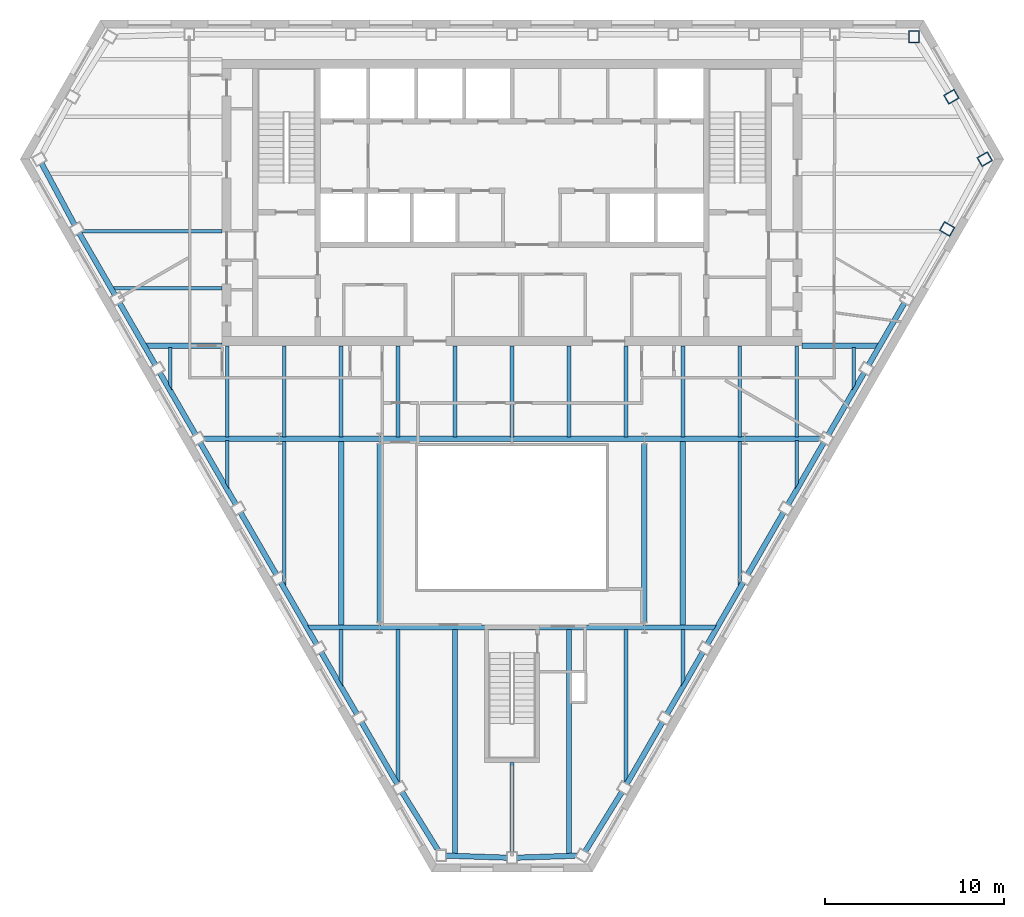
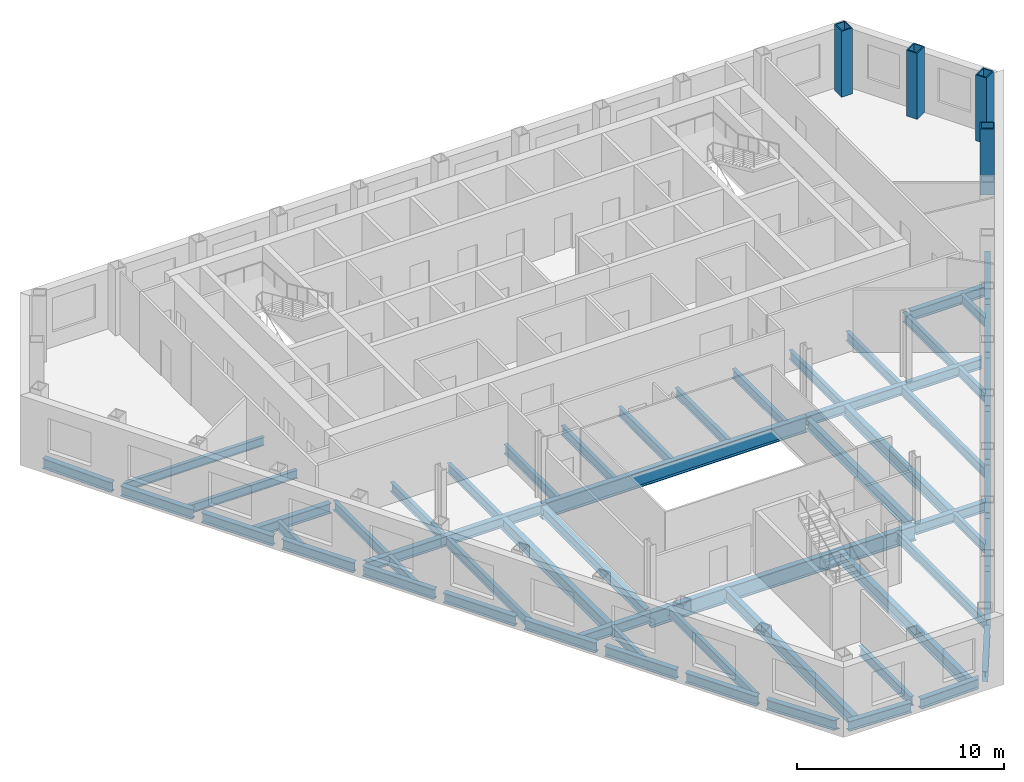
# One storey, part 2 of 11: 60 beams, 4 columns.
"""IFC4 building model written with IfcOpenShell, lengths in metres."""

from ifc_helpers import new_model, si_unit, direction, frame, origin, origin_2d, place, context, subcontext, project, spatial, hollow_rectangle, i_section, extrude, clip, halfspace, material, material_profile, profile_set, type_object, element, save


model = new_model("IFC4")

# Units and contexts
model_context = context("Model", 3, precision=1e-05, world=origin(), true_north=direction((0.0, 1.0)))
body_context = subcontext(model_context, "Body", "Model", "MODEL_VIEW")
ifc_project = project(units=[si_unit("LENGTHUNIT", "METRE"), si_unit("AREAUNIT", "SQUARE_METRE"), si_unit("VOLUMEUNIT", "CUBIC_METRE"), si_unit("PLANEANGLEUNIT", "RADIAN"), si_unit("MASSUNIT", "GRAM", prefix="KILO")], contexts=[model_context])

# Site, building, storey
site_placement = place(None, origin())
site = spatial("IfcSite", under=ifc_project, at=site_placement, CompositionType="ELEMENT")
building_placement = place(site_placement, origin())
building = spatial("IfcBuilding", under=site, at=building_placement, Name="Njiva Tower", CompositionType="ELEMENT")
storey_placement = place(building_placement, frame((0.0, 0.0, 147.6)))
storey = spatial("IfcBuildingStorey", under=building, at=storey_placement, Name="L31", CompositionType="ELEMENT", Elevation=147.6)

# Columns
ifc_material = material(Name="Steel S355 J2", Category="steel")
ifc_material_profile_1 = material_profile(ifc_material, hollow_rectangle(XDim=0.6, YDim=0.7, WallThickness=0.06, at=origin_2d()), Name="BOX 700x600x60")
ifc_profile_set_1 = profile_set([ifc_material_profile_1], Name="Steel S355 J2")
column_type = type_object("IfcColumnType", Name="C9 Perimeter tube column BOX 700x600x60", PredefinedType="COLUMN", material=ifc_profile_set_1)
for number, where, z_axis, x_axis, name in (
    (1, (22.466, 19.267, 0.0), (0.0, 0.0, 1.0), (-1.0, 0.0, 0.0), "Perimeter tube column S10-C01"),
    (2, (24.317, 8.519, 0.0), (0.0, 0.0, 1.0), (0.5, 0.866025403784, 0.0), "Perimeter tube column S10-C34"),
    (3, (26.418, 12.423, 0.0), (0.0, 0.0, 1.0), (-0.5, 0.866025403784, 0.0), "Perimeter tube column S10-C35"),
    (4, (24.557, 15.912, 0.0), (0.0, 0.0, 1.0), (-0.5, 0.866025403784, 0.0), "Perimeter tube column S10-C36"),
):
    element("IfcColumn", number, at=place(storey_placement, frame(where, z_axis=z_axis, x_axis=x_axis)), inside=storey, type_object=column_type, Name=name, PredefinedType="COLUMN", context=body_context, shape_type="SweptSolid", body=[
        extrude(hollow_rectangle(XDim=0.6, YDim=0.7, WallThickness=0.06, at=origin_2d()), origin(), (0.0, 0.0, 1.0), 3.9),
    ])

# Beams
ifc_material_profile_2 = material_profile(ifc_material, i_section(OverallWidth=0.3, OverallDepth=0.69, WebThickness=0.0145, FlangeThickness=0.027, at=origin_2d()), Name="HEA 700")
ifc_profile_set_2 = profile_set([ifc_material_profile_2], Name="Steel S355 J2")
beam_type_1 = type_object("IfcBeamType", Name="B12 Long-span floor joist HEA 700", PredefinedType="JOIST", material=ifc_profile_set_2)
beam_1_placement = place(storey_placement, frame((-9.55, -3.3, -0.545), z_axis=(0.0, -1.0, 0.0), x_axis=(1.0, 0.0, 0.0)))
element("IfcBeam", 5, at=beam_1_placement, inside=storey, type_object=beam_type_1, Name="Long-span floor joist S10-B078", PredefinedType="JOIST", context=body_context, shape_type="SweptSolid", body=[
    extrude(i_section(OverallWidth=0.3, OverallDepth=0.69, WebThickness=0.0145, FlangeThickness=0.027, at=origin_2d()), origin(), (0.0, 0.0, 1.0), 10.35),
])
for number, where, z_axis, x_axis, name in (
    (6, (-3.183, -13.851, -0.545), (0.0, -1.0, 0.0), (1.0, 0.0, 0.0), "Long-span floor joist S10-B083"),
    (7, (3.183, -13.851, -0.545), (0.0, -1.0, 0.0), (1.0, 0.0, 0.0), "Long-span floor joist S10-B088"),
):
    element("IfcBeam", number, at=place(storey_placement, frame(where, z_axis=z_axis, x_axis=x_axis)), inside=storey, type_object=beam_type_1, Name=name, PredefinedType="JOIST", context=body_context, shape_type="SweptSolid", body=[
        extrude(i_section(OverallWidth=0.3, OverallDepth=0.69, WebThickness=0.0145, FlangeThickness=0.027, at=origin_2d()), origin(), (0.0, 0.0, 1.0), 12.562),
    ])
beam_2_placement = place(storey_placement, frame((9.55, -3.3, -0.545), z_axis=(0.0, -1.0, 0.0), x_axis=(1.0, 0.0, 0.0)))
element("IfcBeam", 8, at=beam_2_placement, inside=storey, type_object=beam_type_1, Name="Long-span floor joist S10-B094", PredefinedType="JOIST", context=body_context, shape_type="SweptSolid", body=[
    extrude(i_section(OverallWidth=0.3, OverallDepth=0.69, WebThickness=0.0145, FlangeThickness=0.027, at=origin_2d()), origin(), (0.0, 0.0, 1.0), 10.35),
])
ifc_material_profile_3 = material_profile(ifc_material, i_section(OverallWidth=0.2, OverallDepth=0.5, WebThickness=0.0102, FlangeThickness=0.016, at=origin_2d()), Name="IPE 500")
ifc_profile_set_3 = profile_set([ifc_material_profile_3], Name="Steel S355 J2")
beam_type_2 = type_object("IfcBeamType", Name="B24 Floor beam to the core IPE 500", PredefinedType="BEAM", material=ifc_profile_set_3)
beam_3_placement = place(storey_placement, frame((-22.364, 5.2, -0.45), z_axis=(1.0, 0.0, 0.0), x_axis=(0.0, 1.0, 0.0)))
element("IfcBeam", 9, at=beam_3_placement, inside=storey, type_object=beam_type_2, Name="Floor beam to the core S10-B024", PredefinedType="BEAM", context=body_context, shape_type="Clipping", body=[
    clip(extrude(i_section(OverallWidth=0.2, OverallDepth=0.5, WebThickness=0.0102, FlangeThickness=0.016, at=origin_2d()), origin(), (0.0, 0.0, 1.0), 6.164), halfspace(frame((-0.025, 0.0, 0.0929), z_axis=(-0.499998009787, 0.0, -0.866026552831), x_axis=(0.0, -1.0, 0.0)), False)),
])
beam_4_placement = place(storey_placement, frame((-24.216, 8.4, -0.45), z_axis=(1.0, 0.0, 0.0), x_axis=(0.0, 1.0, 0.0)))
element("IfcBeam", 10, at=beam_4_placement, inside=storey, type_object=beam_type_2, Name="Floor beam to the core S10-B022", PredefinedType="BEAM", context=body_context, shape_type="Clipping", body=[
    clip(extrude(i_section(OverallWidth=0.2, OverallDepth=0.5, WebThickness=0.0102, FlangeThickness=0.016, at=origin_2d()), origin(), (0.0, 0.0, 1.0), 8.016), halfspace(frame((0.0433, 0.0, 0.2679), z_axis=(0.866026552831, 0.0, -0.499998009787), x_axis=(0.0, -1.0, 0.0)), False)),
])
ifc_material_profile_4 = material_profile(ifc_material, i_section(OverallWidth=0.3, OverallDepth=0.59, WebThickness=0.013, FlangeThickness=0.025, at=origin_2d()), Name="HEA 600")
ifc_profile_set_4 = profile_set([ifc_material_profile_4], Name="Steel S355 J2")
beam_type_3 = type_object("IfcBeamType", Name="B27 Short-span spandrel beam HEA 600", PredefinedType="SPANDREL", material=ifc_profile_set_4)
beam_5_placement = place(storey_placement, frame((-26.297, 12.2, -0.495), z_axis=(0.473704904444, -0.880683634176, 0.0), x_axis=(0.880683634176, 0.473704904444, 0.0)))
element("IfcBeam", 11, at=beam_5_placement, inside=storey, type_object=beam_type_3, Name="Short-span spandrel beam S10-B108", PredefinedType="SPANDREL", context=body_context, shape_type="SweptSolid", body=[
    extrude(i_section(OverallWidth=0.3, OverallDepth=0.59, WebThickness=0.013, FlangeThickness=0.025, at=origin_2d()), origin(), (0.0, 0.0, 1.0), 3.9265),
])
beam_6_placement = place(storey_placement, frame((-24.192, 8.302, -0.495), z_axis=(0.500003221507, -0.866023543838, 0.0), x_axis=(0.866023543838, 0.500003221507, 0.0)))
element("IfcBeam", 12, at=beam_6_placement, inside=storey, type_object=beam_type_3, Name="Short-span spandrel beam S10-B113", PredefinedType="SPANDREL", context=body_context, shape_type="SweptSolid", body=[
    extrude(i_section(OverallWidth=0.3, OverallDepth=0.59, WebThickness=0.013, FlangeThickness=0.025, at=origin_2d()), origin(), (0.0, 0.0, 1.0), 4.008),
])
beam_7_placement = place(storey_placement, frame((-21.938, 4.398, -0.495), z_axis=(0.499974286969, -0.866040248701, 0.0), x_axis=(0.866040248701, 0.499974286969, 0.0)))
element("IfcBeam", 13, at=beam_7_placement, inside=storey, type_object=beam_type_3, Name="Short-span spandrel beam S10-B116", PredefinedType="SPANDREL", context=body_context, shape_type="SweptSolid", body=[
    extrude(i_section(OverallWidth=0.3, OverallDepth=0.59, WebThickness=0.013, FlangeThickness=0.025, at=origin_2d()), origin(), (0.0, 0.0, 1.0), 4.0102),
])
for number, where, z_axis, x_axis, name in (
    (14, (-19.683, 0.492, -0.495), (0.500003221507, -0.866023543838, 0.0), (0.866023543838, 0.500003221507, 0.0), "Short-span spandrel beam S10-B118"),
    (15, (-17.429, -3.412, -0.495), (0.500003221507, -0.866023543838, 0.0), (0.866023543838, 0.500003221507, 0.0), "Short-span spandrel beam S10-B121"),
):
    element("IfcBeam", number, at=place(storey_placement, frame(where, z_axis=z_axis, x_axis=x_axis)), inside=storey, type_object=beam_type_3, Name=name, PredefinedType="SPANDREL", context=body_context, shape_type="SweptSolid", body=[
        extrude(i_section(OverallWidth=0.3, OverallDepth=0.59, WebThickness=0.013, FlangeThickness=0.025, at=origin_2d()), origin(), (0.0, 0.0, 1.0), 4.008),
    ])
beam_8_placement = place(storey_placement, frame((-15.175, -7.316, -0.495), z_axis=(0.500082280366, -0.865977893981, 0.0), x_axis=(0.865977893981, 0.500082280366, 0.0)))
element("IfcBeam", 16, at=beam_8_placement, inside=storey, type_object=beam_type_3, Name="Short-span spandrel beam S10-B123", PredefinedType="SPANDREL", context=body_context, shape_type="SweptSolid", body=[
    extrude(i_section(OverallWidth=0.3, OverallDepth=0.59, WebThickness=0.013, FlangeThickness=0.025, at=origin_2d()), origin(), (0.0, 0.0, 1.0), 4.0093),
])
beam_9_placement = place(storey_placement, frame((-12.92, -11.221, -0.495), z_axis=(0.499895202697, -0.866085900082, 0.0), x_axis=(0.866085900082, 0.499895202697, 0.0)))
element("IfcBeam", 17, at=beam_9_placement, inside=storey, type_object=beam_type_3, Name="Short-span spandrel beam S10-B126", PredefinedType="SPANDREL", context=body_context, shape_type="SweptSolid", body=[
    extrude(i_section(OverallWidth=0.3, OverallDepth=0.59, WebThickness=0.013, FlangeThickness=0.025, at=origin_2d()), origin(), (0.0, 0.0, 1.0), 4.0088),
])
beam_10_placement = place(storey_placement, frame((-10.666, -15.126, -0.495), z_axis=(0.500003221507, -0.866023543838, 0.0), x_axis=(0.866023543838, 0.500003221507, 0.0)))
element("IfcBeam", 18, at=beam_10_placement, inside=storey, type_object=beam_type_3, Name="Short-span spandrel beam S10-B128", PredefinedType="SPANDREL", context=body_context, shape_type="SweptSolid", body=[
    extrude(i_section(OverallWidth=0.3, OverallDepth=0.59, WebThickness=0.013, FlangeThickness=0.025, at=origin_2d()), origin(), (0.0, 0.0, 1.0), 4.008),
])
beam_11_placement = place(storey_placement, frame((-8.412, -19.03, -0.495), z_axis=(0.500082280366, -0.865977893981, 0.0), x_axis=(0.865977893981, 0.500082280366, 0.0)))
element("IfcBeam", 19, at=beam_11_placement, inside=storey, type_object=beam_type_3, Name="Short-span spandrel beam S10-B131", PredefinedType="SPANDREL", context=body_context, shape_type="SweptSolid", body=[
    extrude(i_section(OverallWidth=0.3, OverallDepth=0.59, WebThickness=0.013, FlangeThickness=0.025, at=origin_2d()), origin(), (0.0, 0.0, 1.0), 4.0093),
])
beam_12_placement = place(storey_placement, frame((-6.149, -22.934, -0.495), z_axis=(0.525859897861, -0.850571200912, 0.0), x_axis=(0.850571200912, 0.525859897861, 0.0)))
element("IfcBeam", 20, at=beam_12_placement, inside=storey, type_object=beam_type_3, Name="Short-span spandrel beam S10-B133", PredefinedType="SPANDREL", context=body_context, shape_type="Clipping", body=[
    clip(extrude(i_section(OverallWidth=0.3, OverallDepth=0.59, WebThickness=0.013, FlangeThickness=0.025, at=origin_2d()), origin(), (0.0, 0.0, 1.0), 3.941), halfspace(frame((-0.0267, 0.0, 3.8115), z_axis=(-0.525859897861, 0.0, 0.850571200912), x_axis=(0.0, 1.0, 0.0)), False)),
])
beam_13_placement = place(storey_placement, frame((-3.697, -26.498, -0.495), z_axis=(0.999432922525, -0.033672442351, 0.0), x_axis=(0.033672442351, 0.999432922525, 0.0)))
element("IfcBeam", 21, at=beam_13_placement, inside=storey, type_object=beam_type_3, Name="Short-span spandrel beam S10-B137", PredefinedType="SPANDREL", context=body_context, shape_type="SweptSolid", body=[
    extrude(i_section(OverallWidth=0.3, OverallDepth=0.59, WebThickness=0.013, FlangeThickness=0.025, at=origin_2d()), origin(), (0.0, 0.0, 1.0), 3.445),
])
beam_14_placement = place(storey_placement, frame((0.254, -26.614, -0.495), z_axis=(0.999439586851, 0.033474053148, 0.0), x_axis=(-0.033474053148, 0.999439586851, 0.0)))
element("IfcBeam", 22, at=beam_14_placement, inside=storey, type_object=beam_type_3, Name="Short-span spandrel beam S10-B138", PredefinedType="SPANDREL", context=body_context, shape_type="Clipping", body=[
    clip(extrude(i_section(OverallWidth=0.3, OverallDepth=0.59, WebThickness=0.013, FlangeThickness=0.025, at=origin_2d()), origin(), (0.0, 0.0, 1.0), 3.4589), halfspace(frame((-0.026, 0.0, 3.3294), z_axis=(-0.528707223185, 0.0, 0.848804260211), x_axis=(0.0, 1.0, 0.0)), False)),
])
beam_15_placement = place(storey_placement, frame((4.085, -26.274, -0.495), z_axis=(0.525688073686, 0.850677406062, 0.0), x_axis=(-0.850677406062, 0.525688073686, 0.0)))
element("IfcBeam", 23, at=beam_15_placement, inside=storey, type_object=beam_type_3, Name="Short-span spandrel beam S10-B142", PredefinedType="SPANDREL", context=body_context, shape_type="SweptSolid", body=[
    extrude(i_section(OverallWidth=0.3, OverallDepth=0.59, WebThickness=0.013, FlangeThickness=0.025, at=origin_2d()), origin(), (0.0, 0.0, 1.0), 3.9263),
])
beam_16_placement = place(storey_placement, frame((6.407, -22.502, -0.495), z_axis=(0.500082280366, 0.865977893981, 0.0), x_axis=(-0.865977893981, 0.500082280366, 0.0)))
element("IfcBeam", 24, at=beam_16_placement, inside=storey, type_object=beam_type_3, Name="Short-span spandrel beam S10-B145", PredefinedType="SPANDREL", context=body_context, shape_type="SweptSolid", body=[
    extrude(i_section(OverallWidth=0.3, OverallDepth=0.59, WebThickness=0.013, FlangeThickness=0.025, at=origin_2d()), origin(), (0.0, 0.0, 1.0), 4.0093),
])
beam_17_placement = place(storey_placement, frame((8.662, -18.597, -0.495), z_axis=(0.500003221507, 0.866023543838, 0.0), x_axis=(-0.866023543838, 0.500003221507, 0.0)))
element("IfcBeam", 25, at=beam_17_placement, inside=storey, type_object=beam_type_3, Name="Short-span spandrel beam S10-B147", PredefinedType="SPANDREL", context=body_context, shape_type="SweptSolid", body=[
    extrude(i_section(OverallWidth=0.3, OverallDepth=0.59, WebThickness=0.013, FlangeThickness=0.025, at=origin_2d()), origin(), (0.0, 0.0, 1.0), 4.008),
])
beam_18_placement = place(storey_placement, frame((10.916, -14.693, -0.495), z_axis=(0.499895202697, 0.866085900082, 0.0), x_axis=(-0.866085900082, 0.499895202697, 0.0)))
element("IfcBeam", 26, at=beam_18_placement, inside=storey, type_object=beam_type_3, Name="Short-span spandrel beam S10-B150", PredefinedType="SPANDREL", context=body_context, shape_type="SweptSolid", body=[
    extrude(i_section(OverallWidth=0.3, OverallDepth=0.59, WebThickness=0.013, FlangeThickness=0.025, at=origin_2d()), origin(), (0.0, 0.0, 1.0), 4.0088),
])
beam_19_placement = place(storey_placement, frame((13.17, -10.788, -0.495), z_axis=(0.500082280366, 0.865977893981, 0.0), x_axis=(-0.865977893981, 0.500082280366, 0.0)))
element("IfcBeam", 27, at=beam_19_placement, inside=storey, type_object=beam_type_3, Name="Short-span spandrel beam S10-B152", PredefinedType="SPANDREL", context=body_context, shape_type="SweptSolid", body=[
    extrude(i_section(OverallWidth=0.3, OverallDepth=0.59, WebThickness=0.013, FlangeThickness=0.025, at=origin_2d()), origin(), (0.0, 0.0, 1.0), 4.0093),
])
for number, where, z_axis, x_axis, name in (
    (28, (15.425, -6.883, -0.495), (0.500003221507, 0.866023543838, 0.0), (-0.866023543838, 0.500003221507, 0.0), "Short-span spandrel beam S10-B155"),
    (29, (17.679, -2.979, -0.495), (0.500003221507, 0.866023543838, 0.0), (-0.866023543838, 0.500003221507, 0.0), "Short-span spandrel beam S10-B157"),
):
    element("IfcBeam", number, at=place(storey_placement, frame(where, z_axis=z_axis, x_axis=x_axis)), inside=storey, type_object=beam_type_3, Name=name, PredefinedType="SPANDREL", context=body_context, shape_type="SweptSolid", body=[
        extrude(i_section(OverallWidth=0.3, OverallDepth=0.59, WebThickness=0.013, FlangeThickness=0.025, at=origin_2d()), origin(), (0.0, 0.0, 1.0), 4.008),
    ])
beam_20_placement = place(storey_placement, frame((19.933, 0.925, -0.495), z_axis=(0.499974286969, 0.866040248701, 0.0), x_axis=(-0.866040248701, 0.499974286969, 0.0)))
element("IfcBeam", 30, at=beam_20_placement, inside=storey, type_object=beam_type_3, Name="Short-span spandrel beam S10-B160", PredefinedType="SPANDREL", context=body_context, shape_type="SweptSolid", body=[
    extrude(i_section(OverallWidth=0.3, OverallDepth=0.59, WebThickness=0.013, FlangeThickness=0.025, at=origin_2d()), origin(), (0.0, 0.0, 1.0), 4.0102),
])
ifc_material_profile_5 = material_profile(ifc_material, i_section(OverallWidth=0.3, OverallDepth=0.59, WebThickness=0.013, FlangeThickness=0.025, at=origin_2d()), Name="HEA 600")
ifc_profile_set_5 = profile_set([ifc_material_profile_5], Name="Steel S355 J2")
beam_type_4 = type_object("IfcBeamType", Name="B28 Floor girder HEA 600", PredefinedType="BEAM", material=ifc_profile_set_5)
for number, where, z_axis, x_axis, name in (
    (31, (-13.0, -3.2, -0.495), (1.0, 0.0, 0.0), (0.0, 1.0, 0.0), "Floor girder S10-B035"),
    (32, (7.4, -3.2, -0.495), (1.0, 0.0, 0.0), (0.0, 1.0, 0.0), "Floor girder S10-B038"),
):
    element("IfcBeam", number, at=place(storey_placement, frame(where, z_axis=z_axis, x_axis=x_axis)), inside=storey, type_object=beam_type_4, Name=name, PredefinedType="BEAM", context=body_context, shape_type="SweptSolid", body=[
        extrude(i_section(OverallWidth=0.3, OverallDepth=0.59, WebThickness=0.013, FlangeThickness=0.025, at=origin_2d()), origin(), (0.0, 0.0, 1.0), 5.6),
    ])
ifc_material_profile_6 = material_profile(ifc_material, i_section(OverallWidth=0.3, OverallDepth=0.59, WebThickness=0.013, FlangeThickness=0.025, at=origin_2d()), Name="HEA 600")
ifc_profile_set_6 = profile_set([ifc_material_profile_6], Name="Steel S355 J2")
beam_type_5 = type_object("IfcBeamType", Name="B29 Short-span floor girder HEA 600", PredefinedType="BEAM", material=ifc_profile_set_6)
beam_21_placement = place(storey_placement, frame((-17.312, -3.2, -0.495), z_axis=(1.0, 0.0, 0.0), x_axis=(0.0, 1.0, 0.0)))
element("IfcBeam", 33, at=beam_21_placement, inside=storey, type_object=beam_type_5, Name="Short-span floor girder S10-B034", PredefinedType="BEAM", context=body_context, shape_type="Clipping", body=[
    clip(extrude(i_section(OverallWidth=0.3, OverallDepth=0.59, WebThickness=0.013, FlangeThickness=0.025, at=origin_2d()), origin(), (0.0, 0.0, 1.0), 4.312), halfspace(frame((-0.025, 0.0, 0.1217), z_axis=(-0.499998009787, 0.0, -0.866026552831), x_axis=(0.0, -1.0, 0.0)), False)),
])
beam_22_placement = place(storey_placement, frame((13.0, -3.2, -0.495), z_axis=(1.0, 0.0, 0.0), x_axis=(0.0, 1.0, 0.0)))
element("IfcBeam", 34, at=beam_22_placement, inside=storey, type_object=beam_type_5, Name="Short-span floor girder S10-B039", PredefinedType="BEAM", context=body_context, shape_type="Clipping", body=[
    clip(extrude(i_section(OverallWidth=0.3, OverallDepth=0.59, WebThickness=0.013, FlangeThickness=0.025, at=origin_2d()), origin(), (0.0, 0.0, 1.0), 4.312), halfspace(frame((-0.025, 0.0, 4.1903), z_axis=(-0.499998009787, 0.0, 0.866026552831), x_axis=(0.0, 1.0, 0.0)), False)),
])
beam_23_placement = place(storey_placement, frame((-11.452, -13.75, -0.495), z_axis=(1.0, 0.0, 0.0), x_axis=(0.0, 1.0, 0.0)))
element("IfcBeam", 35, at=beam_23_placement, inside=storey, type_object=beam_type_5, Name="Short-span floor girder S10-B036", PredefinedType="BEAM", context=body_context, shape_type="Clipping", body=[
    clip(extrude(i_section(OverallWidth=0.3, OverallDepth=0.59, WebThickness=0.013, FlangeThickness=0.025, at=origin_2d()), origin(), (0.0, 0.0, 1.0), 4.052), halfspace(frame((-0.025, 0.0, 0.1217), z_axis=(-0.499998009787, 0.0, -0.866026552831), x_axis=(0.0, -1.0, 0.0)), False)),
])
beam_24_placement = place(storey_placement, frame((7.4, -13.75, -0.495), z_axis=(1.0, 0.0, 0.0), x_axis=(0.0, 1.0, 0.0)))
element("IfcBeam", 36, at=beam_24_placement, inside=storey, type_object=beam_type_5, Name="Short-span floor girder S10-B037", PredefinedType="BEAM", context=body_context, shape_type="Clipping", body=[
    clip(extrude(i_section(OverallWidth=0.3, OverallDepth=0.59, WebThickness=0.013, FlangeThickness=0.025, at=origin_2d()), origin(), (0.0, 0.0, 1.0), 4.052), halfspace(frame((-0.025, 0.0, 3.9303), z_axis=(-0.499998009787, 0.0, 0.866026552831), x_axis=(0.0, 1.0, 0.0)), False)),
])
beam_25_placement = place(storey_placement, frame((-20.545, 2.0, -0.495), z_axis=(1.0, 0.0, 0.0), x_axis=(0.0, 1.0, 0.0)))
element("IfcBeam", 37, at=beam_25_placement, inside=storey, type_object=beam_type_5, Name="Short-span floor girder S10-B032", PredefinedType="BEAM", context=body_context, shape_type="Clipping", body=[
    clip(extrude(i_section(OverallWidth=0.3, OverallDepth=0.59, WebThickness=0.013, FlangeThickness=0.025, at=origin_2d()), origin(), (0.0, 0.0, 1.0), 4.345), halfspace(frame((-0.025, 0.0, 0.1214), z_axis=(-0.499998009787, 0.0, -0.866026552831), x_axis=(0.0, -1.0, 0.0)), False)),
])
beam_26_placement = place(storey_placement, frame((16.2, 2.0, -0.495), z_axis=(1.0, 0.0, 0.0), x_axis=(0.0, 1.0, 0.0)))
element("IfcBeam", 38, at=beam_26_placement, inside=storey, type_object=beam_type_5, Name="Short-span floor girder S10-B041", PredefinedType="BEAM", context=body_context, shape_type="Clipping", body=[
    clip(extrude(i_section(OverallWidth=0.3, OverallDepth=0.59, WebThickness=0.013, FlangeThickness=0.025, at=origin_2d()), origin(), (0.0, 0.0, 1.0), 4.345), halfspace(frame((-0.025, 0.0, 4.2236), z_axis=(-0.499998009787, 0.0, 0.866026552831), x_axis=(0.0, 1.0, 0.0)), False)),
])
ifc_material_profile_7 = material_profile(ifc_material, i_section(OverallWidth=0.3, OverallDepth=0.59, WebThickness=0.013, FlangeThickness=0.025, at=origin_2d()), Name="HEA 600")
ifc_profile_set_7 = profile_set([ifc_material_profile_7], Name="Steel S355 J2")
beam_type_6 = type_object("IfcBeamType", Name="B30 Long-span atrium trimmer beam HEA 600", PredefinedType="BEAM", material=ifc_profile_set_7)
for number, where, z_axis, x_axis, name in (
    (39, (7.4, -13.49, -0.495), (0.0, 1.0, 0.0), (-1.0, 0.0, 0.0), "Long-span atrium trimmer beam S10-B106"),
    (40, (-7.4, -3.46, -0.495), (0.0, -1.0, 0.0), (1.0, 0.0, 0.0), "Long-span atrium trimmer beam S10-B103"),
):
    element("IfcBeam", number, at=place(storey_placement, frame(where, z_axis=z_axis, x_axis=x_axis)), inside=storey, type_object=beam_type_6, Name=name, PredefinedType="BEAM", context=body_context, shape_type="SweptSolid", body=[
        extrude(i_section(OverallWidth=0.3, OverallDepth=0.59, WebThickness=0.013, FlangeThickness=0.025, at=origin_2d()), origin(), (0.0, 0.0, 1.0), 10.03),
    ])
ifc_material_profile_8 = material_profile(ifc_material, i_section(OverallWidth=0.21, OverallDepth=0.55, WebThickness=0.0111, FlangeThickness=0.0172, at=origin_2d()), Name="IPE 550")
ifc_profile_set_8 = profile_set([ifc_material_profile_8], Name="Steel S355 J2")
beam_type_7 = type_object("IfcBeamType", Name="B31 Short-span floor joist IPE 550", PredefinedType="JOIST", material=ifc_profile_set_8)
beam_27_placement = place(storey_placement, frame((-19.1, 1.9, -0.475), z_axis=(0.0, -1.0, 0.0), x_axis=(1.0, 0.0, 0.0)))
element("IfcBeam", 41, at=beam_27_placement, inside=storey, type_object=beam_type_7, Name="Short-span floor joist S10-B072", PredefinedType="JOIST", context=body_context, shape_type="Clipping", body=[
    clip(extrude(i_section(OverallWidth=0.21, OverallDepth=0.55, WebThickness=0.0111, FlangeThickness=0.0172, at=origin_2d()), origin(), (0.0, 0.0, 1.0), 2.419), halfspace(frame((-0.0433, 0.0, 2.1425), z_axis=(-0.866026552831, 0.0, 0.499998009787), x_axis=(0.0, 1.0, 0.0)), False)),
])
beam_28_placement = place(storey_placement, frame((-15.917, -3.3, -0.475), z_axis=(0.0, -1.0, 0.0), x_axis=(1.0, 0.0, 0.0)))
element("IfcBeam", 42, at=beam_28_placement, inside=storey, type_object=beam_type_7, Name="Short-span floor joist S10-B073", PredefinedType="JOIST", context=body_context, shape_type="Clipping", body=[
    clip(extrude(i_section(OverallWidth=0.21, OverallDepth=0.55, WebThickness=0.0111, FlangeThickness=0.0172, at=origin_2d()), origin(), (0.0, 0.0, 1.0), 2.733), halfspace(frame((-0.043, 0.0, 2.4562), z_axis=(-0.866026552831, 0.0, 0.499998009787), x_axis=(0.0, 1.0, 0.0)), False)),
])
beam_29_placement = place(storey_placement, frame((-9.55, -13.85, -0.475), z_axis=(0.0, -1.0, 0.0), x_axis=(1.0, 0.0, 0.0)))
element("IfcBeam", 43, at=beam_29_placement, inside=storey, type_object=beam_type_7, Name="Short-span floor joist S10-B077", PredefinedType="JOIST", context=body_context, shape_type="Clipping", body=[
    clip(extrude(i_section(OverallWidth=0.21, OverallDepth=0.55, WebThickness=0.0111, FlangeThickness=0.0172, at=origin_2d()), origin(), (0.0, 0.0, 1.0), 3.211), halfspace(frame((-0.0433, 0.0, 2.9336), z_axis=(-0.866026552831, 0.0, 0.499998009787), x_axis=(0.0, 1.0, 0.0)), False)),
])
beam_30_placement = place(storey_placement, frame((9.55, -13.85, -0.475), z_axis=(0.0, -1.0, 0.0), x_axis=(1.0, 0.0, 0.0)))
element("IfcBeam", 44, at=beam_30_placement, inside=storey, type_object=beam_type_7, Name="Short-span floor joist S10-B093", PredefinedType="JOIST", context=body_context, shape_type="Clipping", body=[
    clip(extrude(i_section(OverallWidth=0.21, OverallDepth=0.55, WebThickness=0.0111, FlangeThickness=0.0172, at=origin_2d()), origin(), (0.0, 0.0, 1.0), 3.211), halfspace(frame((0.0433, 0.0, 2.9336), z_axis=(0.866026552831, 0.0, 0.499998009787), x_axis=(0.0, 1.0, 0.0)), False)),
])
beam_31_placement = place(storey_placement, frame((15.917, -3.3, -0.475), z_axis=(0.0, -1.0, 0.0), x_axis=(1.0, 0.0, 0.0)))
element("IfcBeam", 45, at=beam_31_placement, inside=storey, type_object=beam_type_7, Name="Short-span floor joist S10-B098", PredefinedType="JOIST", context=body_context, shape_type="Clipping", body=[
    clip(extrude(i_section(OverallWidth=0.21, OverallDepth=0.55, WebThickness=0.0111, FlangeThickness=0.0172, at=origin_2d()), origin(), (0.0, 0.0, 1.0), 2.733), halfspace(frame((0.043, 0.0, 2.4562), z_axis=(0.866026552831, 0.0, 0.499998009787), x_axis=(0.0, 1.0, 0.0)), False)),
])
beam_32_placement = place(storey_placement, frame((19.1, 1.9, -0.475), z_axis=(0.0, -1.0, 0.0), x_axis=(1.0, 0.0, 0.0)))
element("IfcBeam", 46, at=beam_32_placement, inside=storey, type_object=beam_type_7, Name="Short-span floor joist S10-B100", PredefinedType="JOIST", context=body_context, shape_type="Clipping", body=[
    clip(extrude(i_section(OverallWidth=0.21, OverallDepth=0.55, WebThickness=0.0111, FlangeThickness=0.0172, at=origin_2d()), origin(), (0.0, 0.0, 1.0), 2.419), halfspace(frame((0.0433, 0.0, 2.1425), z_axis=(0.866026552831, 0.0, 0.499998009787), x_axis=(0.0, 1.0, 0.0)), False)),
])
ifc_material_profile_9 = material_profile(ifc_material, i_section(OverallWidth=0.21, OverallDepth=0.55, WebThickness=0.0111, FlangeThickness=0.0172, at=origin_2d()), Name="IPE 550")
ifc_profile_set_9 = profile_set([ifc_material_profile_9], Name="Steel S355 J2")
beam_type_8 = type_object("IfcBeamType", Name="B32 Floor joist IPE 550", PredefinedType="JOIST", material=ifc_profile_set_9)
for number, where, z_axis, x_axis, name in (
    (47, (-15.917, 1.995, -0.475), (0.0, -1.0, 0.0), (1.0, 0.0, 0.0), "Floor joist S10-B074"),
    (48, (-12.733, 1.995, -0.475), (0.0, -1.0, 0.0), (1.0, 0.0, 0.0), "Floor joist S10-B076"),
):
    element("IfcBeam", number, at=place(storey_placement, frame(where, z_axis=z_axis, x_axis=x_axis)), inside=storey, type_object=beam_type_8, Name=name, PredefinedType="JOIST", context=body_context, shape_type="SweptSolid", body=[
        extrude(i_section(OverallWidth=0.21, OverallDepth=0.55, WebThickness=0.0111, FlangeThickness=0.0172, at=origin_2d()), origin(), (0.0, 0.0, 1.0), 5.095),
    ])
beam_33_placement = place(storey_placement, frame((-12.733, -3.3, -0.475), z_axis=(0.0, -1.0, 0.0), x_axis=(1.0, 0.0, 0.0)))
element("IfcBeam", 49, at=beam_33_placement, inside=storey, type_object=beam_type_8, Name="Floor joist S10-B075", PredefinedType="JOIST", context=body_context, shape_type="Clipping", body=[
    clip(extrude(i_section(OverallWidth=0.21, OverallDepth=0.55, WebThickness=0.0111, FlangeThickness=0.0172, at=origin_2d()), origin(), (0.0, 0.0, 1.0), 8.247), halfspace(frame((-0.0436, 0.0, 7.9699), z_axis=(-0.866026552831, 0.0, 0.499998009787), x_axis=(0.0, 1.0, 0.0)), False)),
])
beam_34_placement = place(storey_placement, frame((-9.55, 1.995, -0.475), z_axis=(0.0, -1.0, 0.0), x_axis=(1.0, 0.0, 0.0)))
element("IfcBeam", 50, at=beam_34_placement, inside=storey, type_object=beam_type_8, Name="Floor joist S10-B079", PredefinedType="JOIST", context=body_context, shape_type="SweptSolid", body=[
    extrude(i_section(OverallWidth=0.21, OverallDepth=0.55, WebThickness=0.0111, FlangeThickness=0.0172, at=origin_2d()), origin(), (0.0, 0.0, 1.0), 5.095),
])
beam_35_placement = place(storey_placement, frame((-6.367, 1.995, -0.475), z_axis=(0.0, -1.0, 0.0), x_axis=(1.0, 0.0, 0.0)))
element("IfcBeam", 51, at=beam_35_placement, inside=storey, type_object=beam_type_8, Name="Floor joist S10-B082", PredefinedType="JOIST", context=body_context, shape_type="SweptSolid", body=[
    extrude(i_section(OverallWidth=0.21, OverallDepth=0.55, WebThickness=0.0111, FlangeThickness=0.0172, at=origin_2d()), origin(), (0.0, 0.0, 1.0), 5.094),
])
beam_36_placement = place(storey_placement, frame((-6.367, -13.851, -0.475), z_axis=(0.0, -1.0, 0.0), x_axis=(1.0, 0.0, 0.0)))
element("IfcBeam", 52, at=beam_36_placement, inside=storey, type_object=beam_type_8, Name="Floor joist S10-B081", PredefinedType="JOIST", context=body_context, shape_type="Clipping", body=[
    clip(extrude(i_section(OverallWidth=0.21, OverallDepth=0.55, WebThickness=0.0111, FlangeThickness=0.0172, at=origin_2d()), origin(), (0.0, 0.0, 1.0), 8.708), halfspace(frame((0.0253, 0.0, 8.6128), z_axis=(0.499998009787, 0.0, 0.866026552831), x_axis=(0.0, 1.0, 0.0)), False)),
])
for number, where, z_axis, x_axis, name in (
    (53, (-3.183, 1.995, -0.475), (0.0, -1.0, 0.0), (1.0, 0.0, 0.0), "Floor joist S10-B084"),
    (54, (0.0, 1.995, -0.475), (0.0, -1.0, 0.0), (1.0, 0.0, 0.0), "Floor joist S10-B087"),
):
    element("IfcBeam", number, at=place(storey_placement, frame(where, z_axis=z_axis, x_axis=x_axis)), inside=storey, type_object=beam_type_8, Name=name, PredefinedType="JOIST", context=body_context, shape_type="SweptSolid", body=[
        extrude(i_section(OverallWidth=0.21, OverallDepth=0.55, WebThickness=0.0111, FlangeThickness=0.0172, at=origin_2d()), origin(), (0.0, 0.0, 1.0), 5.094),
    ])
beam_37_placement = place(storey_placement, frame((0.0, -21.3, -0.475), z_axis=(0.0, -1.0, 0.0), x_axis=(1.0, 0.0, 0.0)))
element("IfcBeam", 55, at=beam_37_placement, inside=storey, type_object=beam_type_8, Name="Floor joist S10-B086", PredefinedType="JOIST", context=body_context, shape_type="SweptSolid", body=[
    extrude(i_section(OverallWidth=0.21, OverallDepth=0.55, WebThickness=0.0111, FlangeThickness=0.0172, at=origin_2d()), origin(), (0.0, 0.0, 1.0), 5.023),
])
for number, where, z_axis, x_axis, name in (
    (56, (3.183, 1.995, -0.475), (0.0, -1.0, 0.0), (1.0, 0.0, 0.0), "Floor joist S10-B089"),
    (57, (6.367, 1.995, -0.475), (0.0, -1.0, 0.0), (1.0, 0.0, 0.0), "Floor joist S10-B092"),
):
    element("IfcBeam", number, at=place(storey_placement, frame(where, z_axis=z_axis, x_axis=x_axis)), inside=storey, type_object=beam_type_8, Name=name, PredefinedType="JOIST", context=body_context, shape_type="SweptSolid", body=[
        extrude(i_section(OverallWidth=0.21, OverallDepth=0.55, WebThickness=0.0111, FlangeThickness=0.0172, at=origin_2d()), origin(), (0.0, 0.0, 1.0), 5.094),
    ])
beam_38_placement = place(storey_placement, frame((6.367, -13.851, -0.475), z_axis=(0.0, -1.0, 0.0), x_axis=(1.0, 0.0, 0.0)))
element("IfcBeam", 58, at=beam_38_placement, inside=storey, type_object=beam_type_8, Name="Floor joist S10-B091", PredefinedType="JOIST", context=body_context, shape_type="Clipping", body=[
    clip(extrude(i_section(OverallWidth=0.21, OverallDepth=0.55, WebThickness=0.0111, FlangeThickness=0.0172, at=origin_2d()), origin(), (0.0, 0.0, 1.0), 8.708), halfspace(frame((-0.0253, 0.0, 8.6128), z_axis=(-0.499998009787, 0.0, 0.866026552831), x_axis=(0.0, 1.0, 0.0)), False)),
])
for number, where, z_axis, x_axis, name in (
    (59, (9.55, 1.995, -0.475), (0.0, -1.0, 0.0), (1.0, 0.0, 0.0), "Floor joist S10-B095"),
    (60, (12.733, 1.995, -0.475), (0.0, -1.0, 0.0), (1.0, 0.0, 0.0), "Floor joist S10-B097"),
):
    element("IfcBeam", number, at=place(storey_placement, frame(where, z_axis=z_axis, x_axis=x_axis)), inside=storey, type_object=beam_type_8, Name=name, PredefinedType="JOIST", context=body_context, shape_type="SweptSolid", body=[
        extrude(i_section(OverallWidth=0.21, OverallDepth=0.55, WebThickness=0.0111, FlangeThickness=0.0172, at=origin_2d()), origin(), (0.0, 0.0, 1.0), 5.095),
    ])
beam_39_placement = place(storey_placement, frame((12.733, -3.3, -0.475), z_axis=(0.0, -1.0, 0.0), x_axis=(1.0, 0.0, 0.0)))
element("IfcBeam", 61, at=beam_39_placement, inside=storey, type_object=beam_type_8, Name="Floor joist S10-B096", PredefinedType="JOIST", context=body_context, shape_type="Clipping", body=[
    clip(extrude(i_section(OverallWidth=0.21, OverallDepth=0.55, WebThickness=0.0111, FlangeThickness=0.0172, at=origin_2d()), origin(), (0.0, 0.0, 1.0), 8.247), halfspace(frame((0.0436, 0.0, 7.9699), z_axis=(0.866026552831, 0.0, 0.499998009787), x_axis=(0.0, 1.0, 0.0)), False)),
])
beam_40_placement = place(storey_placement, frame((15.917, 1.995, -0.475), z_axis=(0.0, -1.0, 0.0), x_axis=(1.0, 0.0, 0.0)))
element("IfcBeam", 62, at=beam_40_placement, inside=storey, type_object=beam_type_8, Name="Floor joist S10-B099", PredefinedType="JOIST", context=body_context, shape_type="SweptSolid", body=[
    extrude(i_section(OverallWidth=0.21, OverallDepth=0.55, WebThickness=0.0111, FlangeThickness=0.0172, at=origin_2d()), origin(), (0.0, 0.0, 1.0), 5.095),
])
ifc_material_profile_10 = material_profile(ifc_material, i_section(OverallWidth=0.302, OverallDepth=0.91, WebThickness=0.021, FlangeThickness=0.04, at=origin_2d()), Name="HEM 900")
ifc_profile_set_10 = profile_set([ifc_material_profile_10], Name="Steel S355 J2")
beam_type_9 = type_object("IfcBeamType", Name="B8 Long-span atrium trimmer beam HEM 900", PredefinedType="BEAM", material=ifc_profile_set_10)
for number, where, z_axis, x_axis, name in (
    (63, (-7.4, -13.75, -0.655), (1.0, 0.0, 0.0), (0.0, 1.0, 0.0), "Long-span atrium trimmer beam S10-B102"),
    (64, (7.4, -3.2, -0.655), (-1.0, 0.0, 0.0), (0.0, -1.0, 0.0), "Long-span atrium trimmer beam S10-B104"),
):
    element("IfcBeam", number, at=place(storey_placement, frame(where, z_axis=z_axis, x_axis=x_axis)), inside=storey, type_object=beam_type_9, Name=name, PredefinedType="BEAM", context=body_context, shape_type="SweptSolid", body=[
        extrude(i_section(OverallWidth=0.302, OverallDepth=0.91, WebThickness=0.021, FlangeThickness=0.04, at=origin_2d()), origin(), (0.0, 0.0, 1.0), 14.8),
    ])

save(model, "model.ifc")
